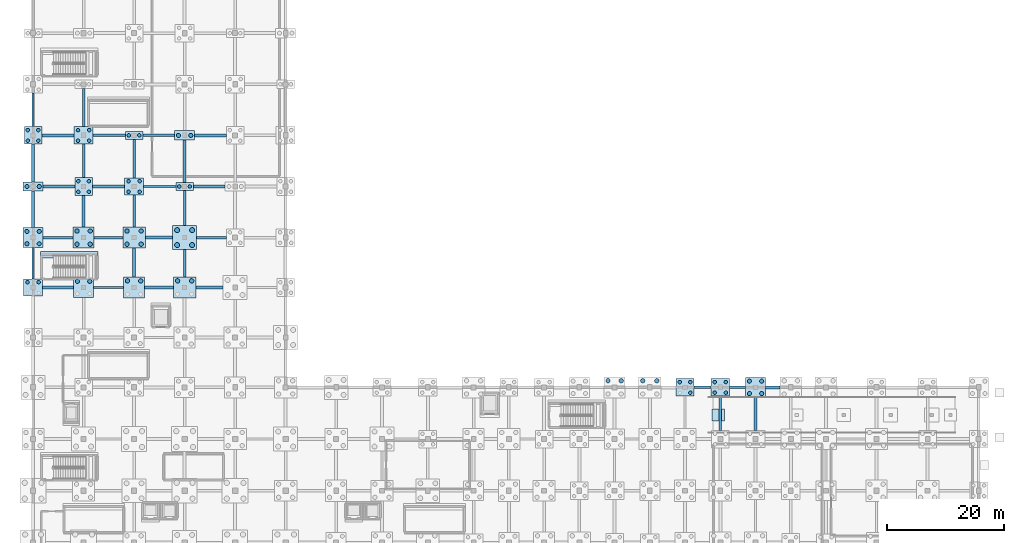
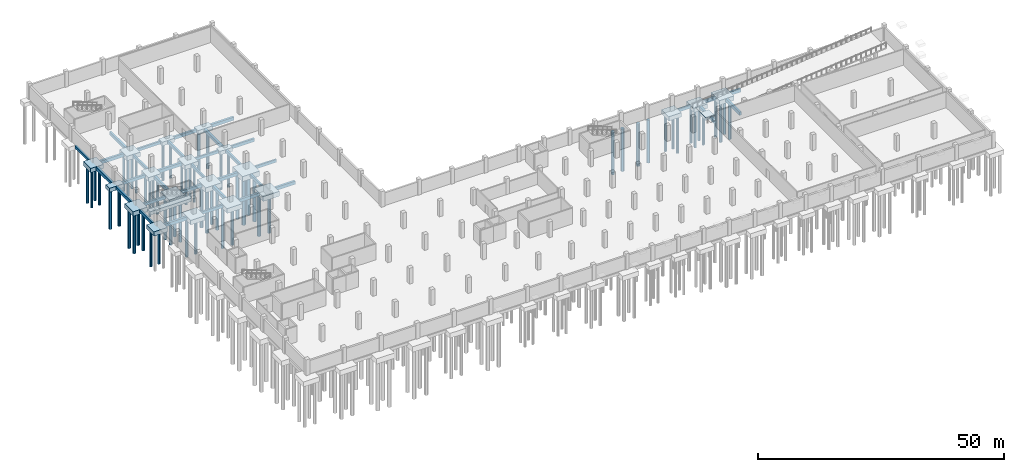
# One storey, part 7 of 28: 63 piles, 55 footings.
"""IFC4 building model written with IfcOpenShell, lengths in metres."""

from ifc_helpers import new_model, si_unit, direction, frame, origin, origin_2d, place, context, subcontext, project, spatial, rectangle, circle, extrude, material, material_profile, profile_set, type_object, element, save


model = new_model("IFC4")

# Units and contexts
model_context = context("Model", 3, precision=1e-05, world=origin(), true_north=direction((0.0, 1.0)))
body_context = subcontext(model_context, "Body", "Model", "MODEL_VIEW")
ifc_project = project(units=[si_unit("LENGTHUNIT", "METRE"), si_unit("AREAUNIT", "SQUARE_METRE"), si_unit("VOLUMEUNIT", "CUBIC_METRE"), si_unit("PLANEANGLEUNIT", "RADIAN"), si_unit("MASSUNIT", "GRAM", prefix="KILO")], contexts=[model_context])

# Site, building, storey
site_placement = place(None, origin())
site = spatial("IfcSite", under=ifc_project, at=site_placement, CompositionType="ELEMENT")
building_placement = place(site_placement, origin())
building = spatial("IfcBuilding", under=site, at=building_placement, Name="Varnakota Cinema and Media Centre", CompositionType="ELEMENT")
storey_placement = place(building_placement, frame((0.0, 0.0, -4.199951171875)))
storey = spatial("IfcBuildingStorey", under=building, at=storey_placement, Name="B1", CompositionType="ELEMENT", Elevation=-4.199951171875)

# Footings
ifc_material_1 = material(Name="Concrete M35", Category="concrete")
ifc_material_profile_1 = material_profile(ifc_material_1, rectangle(XDim=0.39990234375, YDim=0.699951171875, at=origin_2d()), Name="FB 400x700")
ifc_profile_set_1 = profile_set([ifc_material_profile_1], Name="Concrete M35")
footing_type_1 = type_object("IfcFootingType", Name="FB-400x700", PredefinedType="FOOTING_BEAM", material=ifc_profile_set_1)
footing_1_placement = place(storey_placement, frame((112.5, 44.0, -0.60009765625), z_axis=(1.0, 0.0, 0.0), x_axis=(0.0, 1.0, 0.0)))
element("IfcFooting", 1, at=footing_1_placement, inside=storey, type_object=footing_type_1, Name="Foundation tie beam R-S/6", PredefinedType="FOOTING_BEAM", context=body_context, shape_type="SweptSolid", body=[
    extrude(rectangle(XDim=0.39990234375, YDim=0.699951171875, at=origin_2d()), origin(), (0.0, 0.0, 1.0), 2.89990234375),
])
footing_2_placement = place(storey_placement, frame((10.300048828125, 61.0, -0.60009765625), z_axis=(1.0, 0.0, 0.0), x_axis=(0.0, 1.0, 0.0)))
element("IfcFooting", 2, at=footing_2_placement, inside=storey, type_object=footing_type_1, Name="Foundation tie beam B-C/8", PredefinedType="FOOTING_BEAM", context=body_context, shape_type="SweptSolid", body=[
    extrude(rectangle(XDim=0.39990234375, YDim=0.699951171875, at=origin_2d()), origin(), (0.0, 0.0, 1.0), 5.099853515625),
])
footing_3_placement = place(storey_placement, frame((1.699951171875, 69.5, -0.60009765625), z_axis=(1.0, 0.0, 0.0), x_axis=(0.0, 1.0, 0.0)))
element("IfcFooting", 3, at=footing_3_placement, inside=storey, type_object=footing_type_1, Name="Foundation tie beam A-B/9", PredefinedType="FOOTING_BEAM", context=body_context, shape_type="SweptSolid", body=[
    extrude(rectangle(XDim=0.39990234375, YDim=0.699951171875, at=origin_2d()), origin(), (0.0, 0.0, 1.0), 5.10009765625),
])
footing_4_placement = place(storey_placement, frame((27.824951171875, 69.5, -0.60009765625), z_axis=(1.0, 0.0, 0.0), x_axis=(0.0, 1.0, 0.0)))
element("IfcFooting", 4, at=footing_4_placement, inside=storey, type_object=footing_type_1, Name="Foundation tie beam D-E/9", PredefinedType="FOOTING_BEAM", context=body_context, shape_type="SweptSolid", body=[
    extrude(rectangle(XDim=0.39990234375, YDim=0.699951171875, at=origin_2d()), origin(), (0.0, 0.0, 1.0), 5.074951171875),
])
for number, where, z_axis, x_axis, name in (
    (5, (18.800048828125, 78.199951171875, -0.60009765625), (1.0, 0.0, 0.0), (0.0, 1.0, 0.0), "Foundation tie beam C-D/10"),
    (6, (10.199951171875, 86.89990234375, -0.60009765625), (1.0, 0.0, 0.0), (0.0, 1.0, 0.0), "Foundation tie beam B-C/11"),
):
    element("IfcFooting", number, at=place(storey_placement, frame(where, z_axis=z_axis, x_axis=x_axis)), inside=storey, type_object=footing_type_1, Name=name, PredefinedType="FOOTING_BEAM", context=body_context, shape_type="SweptSolid", body=[
        extrude(rectangle(XDim=0.39990234375, YDim=0.699951171875, at=origin_2d()), origin(), (0.0, 0.0, 1.0), 5.5),
    ])
footing_5_placement = place(storey_placement, frame((0.0, 62.47509765625, -0.60009765625), z_axis=(0.0, 1.0, 0.0), x_axis=(-1.0, 0.0, 0.0)))
element("IfcFooting", 7, at=footing_5_placement, inside=storey, type_object=footing_type_1, Name="Foundation tie beam A/8-9", PredefinedType="FOOTING_BEAM", context=body_context, shape_type="SweptSolid", body=[
    extrude(rectangle(XDim=0.39990234375, YDim=0.699951171875, at=origin_2d()), origin(), (0.0, 0.0, 1.0), 5.324951171875),
])
for number, where, z_axis, x_axis, name in (
    (8, (0.0, 88.39990234375, -0.60009765625), (0.0, 1.0, 0.0), (-1.0, 0.0, 0.0), "Foundation tie beam A/11-12"),
    (9, (8.60009765625, 79.699951171875, -0.60009765625), (0.0, 1.0, 0.0), (-1.0, 0.0, 0.0), "Foundation tie beam B/10-11"),
):
    element("IfcFooting", number, at=place(storey_placement, frame(where, z_axis=z_axis, x_axis=x_axis)), inside=storey, type_object=footing_type_1, Name=name, PredefinedType="FOOTING_BEAM", context=body_context, shape_type="SweptSolid", body=[
        extrude(rectangle(XDim=0.39990234375, YDim=0.699951171875, at=origin_2d()), origin(), (0.0, 0.0, 1.0), 5.72509765625),
    ])
footing_6_placement = place(storey_placement, frame((17.199951171875, 71.27490234375, -0.60009765625), z_axis=(0.0, 1.0, 0.0), x_axis=(-1.0, 0.0, 0.0)))
element("IfcFooting", 10, at=footing_6_placement, inside=storey, type_object=footing_type_1, Name="Foundation tie beam C/9-10", PredefinedType="FOOTING_BEAM", context=body_context, shape_type="SweptSolid", body=[
    extrude(rectangle(XDim=0.39990234375, YDim=0.699951171875, at=origin_2d()), origin(), (0.0, 0.0, 1.0), 5.4501953125),
])
footing_7_placement = place(storey_placement, frame((25.800048828125, 62.77490234375, -0.60009765625), z_axis=(0.0, 1.0, 0.0), x_axis=(-1.0, 0.0, 0.0)))
element("IfcFooting", 11, at=footing_7_placement, inside=storey, type_object=footing_type_1, Name="Foundation tie beam D/8-9", PredefinedType="FOOTING_BEAM", context=body_context, shape_type="SweptSolid", body=[
    extrude(rectangle(XDim=0.39990234375, YDim=0.699951171875, at=origin_2d()), origin(), (0.0, 0.0, 1.0), 4.7001953125),
])
ifc_material_2 = material(Name="Concrete M35", Category="concrete")
ifc_material_profile_2 = material_profile(ifc_material_2, rectangle(XDim=0.449951171875, YDim=0.75, at=origin_2d()), Name="FB 450x750")
ifc_profile_set_2 = profile_set([ifc_material_profile_2], Name="Concrete M35")
footing_type_2 = type_object("IfcFootingType", Name="FB-450x750", PredefinedType="FOOTING_BEAM", material=ifc_profile_set_2)
footing_8_placement = place(storey_placement, frame((118.60009765625, 44.0, -0.625), z_axis=(1.0, 0.0, 0.0), x_axis=(0.0, 1.0, 0.0)))
element("IfcFooting", 12, at=footing_8_placement, inside=storey, type_object=footing_type_2, Name="Foundation tie beam S-T/6", PredefinedType="FOOTING_BEAM", context=body_context, shape_type="SweptSolid", body=[
    extrude(rectangle(XDim=0.449951171875, YDim=0.75, at=origin_2d()), origin(), (0.0, 0.0, 1.0), 2.699951171875),
])
footing_9_placement = place(storey_placement, frame((19.0, 61.0, -0.625), z_axis=(1.0, 0.0, 0.0), x_axis=(0.0, 1.0, 0.0)))
element("IfcFooting", 13, at=footing_9_placement, inside=storey, type_object=footing_type_2, Name="Foundation tie beam C-D/8", PredefinedType="FOOTING_BEAM", context=body_context, shape_type="SweptSolid", body=[
    extrude(rectangle(XDim=0.449951171875, YDim=0.75, at=origin_2d()), origin(), (0.0, 0.0, 1.0), 4.89990234375),
])
footing_10_placement = place(storey_placement, frame((10.39990234375, 69.5, -0.625), z_axis=(1.0, 0.0, 0.0), x_axis=(0.0, 1.0, 0.0)))
element("IfcFooting", 14, at=footing_10_placement, inside=storey, type_object=footing_type_2, Name="Foundation tie beam B-C/9", PredefinedType="FOOTING_BEAM", context=body_context, shape_type="SweptSolid", body=[
    extrude(rectangle(XDim=0.449951171875, YDim=0.75, at=origin_2d()), origin(), (0.0, 0.0, 1.0), 4.900146484375),
])
footing_11_placement = place(storey_placement, frame((1.699951171875, 78.199951171875, -0.625), z_axis=(1.0, 0.0, 0.0), x_axis=(0.0, 1.0, 0.0)))
element("IfcFooting", 15, at=footing_11_placement, inside=storey, type_object=footing_type_2, Name="Foundation tie beam A-B/10", PredefinedType="FOOTING_BEAM", context=body_context, shape_type="SweptSolid", body=[
    extrude(rectangle(XDim=0.449951171875, YDim=0.75, at=origin_2d()), origin(), (0.0, 0.0, 1.0), 5.400146484375),
])
footing_12_placement = place(storey_placement, frame((27.300048828125, 78.199951171875, -0.625), z_axis=(1.0, 0.0, 0.0), x_axis=(0.0, 1.0, 0.0)))
element("IfcFooting", 16, at=footing_12_placement, inside=storey, type_object=footing_type_2, Name="Foundation tie beam D-E/10", PredefinedType="FOOTING_BEAM", context=body_context, shape_type="SweptSolid", body=[
    extrude(rectangle(XDim=0.449951171875, YDim=0.75, at=origin_2d()), origin(), (0.0, 0.0, 1.0), 5.39990234375),
])
footing_13_placement = place(storey_placement, frame((18.699951171875, 86.89990234375, -0.625), z_axis=(1.0, 0.0, 0.0), x_axis=(0.0, 1.0, 0.0)))
element("IfcFooting", 17, at=footing_13_placement, inside=storey, type_object=footing_type_2, Name="Foundation tie beam C-D/11", PredefinedType="FOOTING_BEAM", context=body_context, shape_type="SweptSolid", body=[
    extrude(rectangle(XDim=0.449951171875, YDim=0.75, at=origin_2d()), origin(), (0.0, 0.0, 1.0), 5.400146484375),
])
footing_14_placement = place(storey_placement, frame((0.0, 71.199951171875, -0.625), z_axis=(0.0, 1.0, 0.0), x_axis=(-1.0, 0.0, 0.0)))
element("IfcFooting", 18, at=footing_14_placement, inside=storey, type_object=footing_type_2, Name="Foundation tie beam A/9-10", PredefinedType="FOOTING_BEAM", context=body_context, shape_type="SweptSolid", body=[
    extrude(rectangle(XDim=0.449951171875, YDim=0.75, at=origin_2d()), origin(), (0.0, 0.0, 1.0), 6.199951171875),
])
for number, where, z_axis, x_axis, name in (
    (19, (8.60009765625, 88.375, -0.625), (0.0, 1.0, 0.0), (-1.0, 0.0, 0.0), "Foundation tie beam B/11-12"),
    (20, (17.199951171875, 79.675048828125, -0.625), (0.0, 1.0, 0.0), (-1.0, 0.0, 0.0), "Foundation tie beam C/10-11"),
):
    element("IfcFooting", number, at=place(storey_placement, frame(where, z_axis=z_axis, x_axis=x_axis)), inside=storey, type_object=footing_type_2, Name=name, PredefinedType="FOOTING_BEAM", context=body_context, shape_type="SweptSolid", body=[
        extrude(rectangle(XDim=0.449951171875, YDim=0.75, at=origin_2d()), origin(), (0.0, 0.0, 1.0), 6.52490234375),
    ])
footing_15_placement = place(storey_placement, frame((25.800048828125, 71.52490234375, -0.625), z_axis=(0.0, 1.0, 0.0), x_axis=(-1.0, 0.0, 0.0)))
element("IfcFooting", 21, at=footing_15_placement, inside=storey, type_object=footing_type_2, Name="Foundation tie beam D/9-10", PredefinedType="FOOTING_BEAM", context=body_context, shape_type="SweptSolid", body=[
    extrude(rectangle(XDim=0.449951171875, YDim=0.75, at=origin_2d()), origin(), (0.0, 0.0, 1.0), 5.97509765625),
])
footing_16_placement = place(storey_placement, frame((117.0, 36.699951171875, -0.625), z_axis=(0.0, 1.0, 0.0), x_axis=(-1.0, 0.0, 0.0)))
element("IfcFooting", 22, at=footing_16_placement, inside=storey, type_object=footing_type_2, Name="Foundation tie beam S/5-6", PredefinedType="FOOTING_BEAM", context=body_context, shape_type="SweptSolid", body=[
    extrude(rectangle(XDim=0.449951171875, YDim=0.75, at=origin_2d()), origin(), (0.0, 0.0, 1.0), 5.824951171875),
])
ifc_material_3 = material(Name="Concrete M35", Category="concrete")
ifc_material_profile_3 = material_profile(ifc_material_3, rectangle(XDim=0.5, YDim=0.800048828125, at=origin_2d()), Name="FB 500x800")
ifc_profile_set_3 = profile_set([ifc_material_profile_3], Name="Concrete M35")
footing_type_3 = type_object("IfcFootingType", Name="FB-500x800", PredefinedType="FOOTING_BEAM", material=ifc_profile_set_3)
footing_17_placement = place(storey_placement, frame((124.699951171875, 44.0, -0.650146484375), z_axis=(1.0, 0.0, 0.0), x_axis=(0.0, 1.0, 0.0)))
element("IfcFooting", 23, at=footing_17_placement, inside=storey, type_object=footing_type_3, Name="Foundation tie beam T-U/6", PredefinedType="FOOTING_BEAM", context=body_context, shape_type="SweptSolid", body=[
    extrude(rectangle(XDim=0.5, YDim=0.800048828125, at=origin_2d()), origin(), (0.0, 0.0, 1.0), 2.5),
])
footing_18_placement = place(storey_placement, frame((1.60009765625, 61.0, -0.650146484375), z_axis=(1.0, 0.0, 0.0), x_axis=(0.0, 1.0, 0.0)))
element("IfcFooting", 24, at=footing_18_placement, inside=storey, type_object=footing_type_3, Name="Foundation tie beam A-B/8", PredefinedType="FOOTING_BEAM", context=body_context, shape_type="SweptSolid", body=[
    extrude(rectangle(XDim=0.5, YDim=0.800048828125, at=origin_2d()), origin(), (0.0, 0.0, 1.0), 5.2998046875),
])
footing_19_placement = place(storey_placement, frame((27.699951171875, 61.0, -0.650146484375), z_axis=(1.0, 0.0, 0.0), x_axis=(0.0, 1.0, 0.0)))
element("IfcFooting", 25, at=footing_19_placement, inside=storey, type_object=footing_type_3, Name="Foundation tie beam D-E/8", PredefinedType="FOOTING_BEAM", context=body_context, shape_type="SweptSolid", body=[
    extrude(rectangle(XDim=0.5, YDim=0.800048828125, at=origin_2d()), origin(), (0.0, 0.0, 1.0), 4.675048828125),
])
footing_20_placement = place(storey_placement, frame((19.10009765625, 69.5, -0.650146484375), z_axis=(1.0, 0.0, 0.0), x_axis=(0.0, 1.0, 0.0)))
element("IfcFooting", 26, at=footing_20_placement, inside=storey, type_object=footing_type_3, Name="Foundation tie beam C-D/9", PredefinedType="FOOTING_BEAM", context=body_context, shape_type="SweptSolid", body=[
    extrude(rectangle(XDim=0.5, YDim=0.800048828125, at=origin_2d()), origin(), (0.0, 0.0, 1.0), 4.6748046875),
])
for number, where, z_axis, x_axis, name in (
    (27, (10.10009765625, 78.199951171875, -0.650146484375), (1.0, 0.0, 0.0), (0.0, 1.0, 0.0), "Foundation tie beam B-C/10"),
    (28, (1.5, 86.89990234375, -0.650146484375), (1.0, 0.0, 0.0), (0.0, 1.0, 0.0), "Foundation tie beam A-B/11"),
):
    element("IfcFooting", number, at=place(storey_placement, frame(where, z_axis=z_axis, x_axis=x_axis)), inside=storey, type_object=footing_type_3, Name=name, PredefinedType="FOOTING_BEAM", context=body_context, shape_type="SweptSolid", body=[
        extrude(rectangle(XDim=0.5, YDim=0.800048828125, at=origin_2d()), origin(), (0.0, 0.0, 1.0), 5.5),
    ])
footing_21_placement = place(storey_placement, frame((27.5, 86.89990234375, -0.650146484375), z_axis=(1.0, 0.0, 0.0), x_axis=(0.0, 1.0, 0.0)))
element("IfcFooting", 29, at=footing_21_placement, inside=storey, type_object=footing_type_3, Name="Foundation tie beam D-E/11", PredefinedType="FOOTING_BEAM", context=body_context, shape_type="SweptSolid", body=[
    extrude(rectangle(XDim=0.5, YDim=0.800048828125, at=origin_2d()), origin(), (0.0, 0.0, 1.0), 5.39990234375),
])
footing_22_placement = place(storey_placement, frame((0.0, 79.0, -0.650146484375), z_axis=(0.0, 1.0, 0.0), x_axis=(-1.0, 0.0, 0.0)))
element("IfcFooting", 30, at=footing_22_placement, inside=storey, type_object=footing_type_3, Name="Foundation tie beam A/10-11", PredefinedType="FOOTING_BEAM", context=body_context, shape_type="SweptSolid", body=[
    extrude(rectangle(XDim=0.5, YDim=0.800048828125, at=origin_2d()), origin(), (0.0, 0.0, 1.0), 6.39990234375),
])
footing_23_placement = place(storey_placement, frame((8.60009765625, 71.300048828125, -0.650146484375), z_axis=(0.0, 1.0, 0.0), x_axis=(-1.0, 0.0, 0.0)))
element("IfcFooting", 31, at=footing_23_placement, inside=storey, type_object=footing_type_3, Name="Foundation tie beam B/9-10", PredefinedType="FOOTING_BEAM", context=body_context, shape_type="SweptSolid", body=[
    extrude(rectangle(XDim=0.5, YDim=0.800048828125, at=origin_2d()), origin(), (0.0, 0.0, 1.0), 5.39990234375),
])
footing_24_placement = place(storey_placement, frame((17.199951171875, 62.800048828125, -0.650146484375), z_axis=(0.0, 1.0, 0.0), x_axis=(-1.0, 0.0, 0.0)))
element("IfcFooting", 32, at=footing_24_placement, inside=storey, type_object=footing_type_3, Name="Foundation tie beam C/8-9", PredefinedType="FOOTING_BEAM", context=body_context, shape_type="SweptSolid", body=[
    extrude(rectangle(XDim=0.5, YDim=0.800048828125, at=origin_2d()), origin(), (0.0, 0.0, 1.0), 4.925048828125),
])
footing_25_placement = place(storey_placement, frame((25.800048828125, 78.89990234375, -0.650146484375), z_axis=(0.0, 1.0, 0.0), x_axis=(-1.0, 0.0, 0.0)))
element("IfcFooting", 33, at=footing_25_placement, inside=storey, type_object=footing_type_3, Name="Foundation tie beam D/10-11", PredefinedType="FOOTING_BEAM", context=body_context, shape_type="SweptSolid", body=[
    extrude(rectangle(XDim=0.5, YDim=0.800048828125, at=origin_2d()), origin(), (0.0, 0.0, 1.0), 7.2001953125),
])
footing_26_placement = place(storey_placement, frame((123.0, 36.675048828125, -0.650146484375), z_axis=(0.0, 1.0, 0.0), x_axis=(-1.0, 0.0, 0.0)))
element("IfcFooting", 34, at=footing_26_placement, inside=storey, type_object=footing_type_3, Name="Foundation tie beam T/5-6", PredefinedType="FOOTING_BEAM", context=body_context, shape_type="SweptSolid", body=[
    extrude(rectangle(XDim=0.5, YDim=0.800048828125, at=origin_2d()), origin(), (0.0, 0.0, 1.0), 5.625),
])
ifc_material_4 = material(Name="Concrete M35", Category="concrete")
footing_type_4 = type_object("IfcFootingType", Name="PC-2P-600", PredefinedType="PILE_CAP", material=ifc_material_4)
for number, where, z_axis, x_axis, name in (
    (35, (17.199951171875, 86.89990234375, -1.2001953125), (0.0, 0.0, 1.0), (1.0, 0.0, 0.0), "Pile cap C/11"),
    (36, (25.800048828125, 78.199951171875, -1.2001953125), (0.0, 0.0, 1.0), (1.0, 0.0, 0.0), "Pile cap D/10"),
):
    element("IfcFooting", number, at=place(storey_placement, frame(where, z_axis=z_axis, x_axis=x_axis)), inside=storey, type_object=footing_type_4, Name=name, PredefinedType="PILE_CAP", context=body_context, shape_type="SweptSolid", body=[
        extrude(rectangle(XDim=3.0, YDim=1.39990234375, at=origin_2d()), origin(), (0.0, 0.0, 1.0), 0.949951171875),
    ])
ifc_material_5 = material(Name="Concrete M35", Category="concrete")
footing_type_5 = type_object("IfcFootingType", Name="PC-2P-700", PredefinedType="PILE_CAP", material=ifc_material_5)
for number, where, z_axis, x_axis, name in (
    (37, (0.0, 78.199951171875, -1.25), (0.0, 0.0, 1.0), (1.0, 0.0, 0.0), "Pile cap A/10"),
    (38, (25.800048828125, 86.89990234375, -1.25), (0.0, 0.0, 1.0), (1.0, 0.0, 0.0), "Pile cap D/11"),
):
    element("IfcFooting", number, at=place(storey_placement, frame(where, z_axis=z_axis, x_axis=x_axis)), inside=storey, type_object=footing_type_5, Name=name, PredefinedType="PILE_CAP", context=body_context, shape_type="SweptSolid", body=[
        extrude(rectangle(XDim=3.39990234375, YDim=1.60009765625, at=origin_2d()), origin(), (0.0, 0.0, 1.0), 1.0),
    ])
ifc_material_6 = material(Name="Concrete M35", Category="concrete")
footing_type_6 = type_object("IfcFootingType", Name="PC-4P-600", PredefinedType="PILE_CAP", material=ifc_material_6)
for number, where, z_axis, x_axis, name in (
    (39, (0.0, 86.89990234375, -1.30029296875), (0.0, 0.0, 1.0), (1.0, 0.0, 0.0), "Pile cap A/11"),
    (40, (8.60009765625, 78.199951171875, -1.30029296875), (0.0, 0.0, 1.0), (1.0, 0.0, 0.0), "Pile cap B/10"),
    (41, (111.0, 44.0, -1.30029296875), (0.0, 0.0, 1.0), (1.0, 0.0, 0.0), "Pile cap R/6"),
):
    element("IfcFooting", number, at=place(storey_placement, frame(where, z_axis=z_axis, x_axis=x_axis)), inside=storey, type_object=footing_type_6, Name=name, PredefinedType="PILE_CAP", context=body_context, shape_type="SweptSolid", body=[
        extrude(rectangle(XDim=3.0, YDim=3.0, at=origin_2d()), origin(), (0.0, 0.0, 1.0), 1.050048828125),
    ])
ifc_material_7 = material(Name="Concrete M35", Category="concrete")
footing_type_7 = type_object("IfcFootingType", Name="PC-4P-600R", PredefinedType="PILE_CAP", material=ifc_material_7)
for number, where, z_axis, x_axis, name in (
    (42, (0.0, 61.0, -1.330078125), (0.0, 0.0, 1.0), (1.0, 0.0, 0.0), "Pile cap A/8"),
    (43, (8.60009765625, 86.89990234375, -1.330078125), (0.0, 0.0, 1.0), (1.0, 0.0, 0.0), "Pile cap B/11"),
    (44, (17.199951171875, 78.199951171875, -1.330078125), (0.0, 0.0, 1.0), (1.0, 0.0, 0.0), "Pile cap C/10"),
    (45, (117.0, 44.0, -1.330078125), (0.0, 0.0, 1.0), (1.0, 0.0, 0.0), "Pile cap S/6"),
):
    element("IfcFooting", number, at=place(storey_placement, frame(where, z_axis=z_axis, x_axis=x_axis)), inside=storey, type_object=footing_type_7, Name=name, PredefinedType="PILE_CAP", context=body_context, shape_type="SweptSolid", body=[
        extrude(rectangle(XDim=3.199951171875, YDim=2.949951171875, at=origin_2d()), origin(), (0.0, 0.0, 1.0), 1.080078125),
    ])
ifc_material_8 = material(Name="Concrete M35", Category="concrete")
footing_type_8 = type_object("IfcFootingType", Name="PC-4P-700", PredefinedType="PILE_CAP", material=ifc_material_8)
for number, where, z_axis, x_axis, name in (
    (46, (0.0, 69.5, -1.3701171875), (0.0, 0.0, 1.0), (1.0, 0.0, 0.0), "Pile cap A/9"),
    (47, (8.60009765625, 61.0, -1.3701171875), (0.0, 0.0, 1.0), (1.0, 0.0, 0.0), "Pile cap B/8"),
    (48, (123.0, 44.0, -1.3701171875), (0.0, 0.0, 1.0), (1.0, 0.0, 0.0), "Pile cap T/6"),
):
    element("IfcFooting", number, at=place(storey_placement, frame(where, z_axis=z_axis, x_axis=x_axis)), inside=storey, type_object=footing_type_8, Name=name, PredefinedType="PILE_CAP", context=body_context, shape_type="SweptSolid", body=[
        extrude(rectangle(XDim=3.39990234375, YDim=3.39990234375, at=origin_2d()), origin(), (0.0, 0.0, 1.0), 1.1201171875),
    ])
ifc_material_9 = material(Name="Concrete M35", Category="concrete")
footing_type_9 = type_object("IfcFootingType", Name="PC-4P-750", PredefinedType="PILE_CAP", material=ifc_material_9)
for number, where, z_axis, x_axis, name in (
    (49, (8.60009765625, 69.5, -1.43017578125), (0.0, 0.0, 1.0), (1.0, 0.0, 0.0), "Pile cap B/9"),
    (50, (17.199951171875, 61.0, -1.43017578125), (0.0, 0.0, 1.0), (1.0, 0.0, 0.0), "Pile cap C/8"),
):
    element("IfcFooting", number, at=place(storey_placement, frame(where, z_axis=z_axis, x_axis=x_axis)), inside=storey, type_object=footing_type_9, Name=name, PredefinedType="PILE_CAP", context=body_context, shape_type="SweptSolid", body=[
        extrude(rectangle(XDim=3.60009765625, YDim=3.60009765625, at=origin_2d()), origin(), (0.0, 0.0, 1.0), 1.179931640625),
    ])
ifc_material_10 = material(Name="Concrete M35", Category="concrete")
footing_type_10 = type_object("IfcFootingType", Name="PC-4P-750R", PredefinedType="PILE_CAP", material=ifc_material_10)
for number, where, z_axis, x_axis, name in (
    (51, (17.199951171875, 69.5, -1.4501953125), (0.0, 0.0, 1.0), (1.0, 0.0, 0.0), "Pile cap C/9"),
    (52, (25.800048828125, 61.0, -1.4501953125), (0.0, 0.0, 1.0), (1.0, 0.0, 0.0), "Pile cap D/8"),
):
    element("IfcFooting", number, at=place(storey_placement, frame(where, z_axis=z_axis, x_axis=x_axis)), inside=storey, type_object=footing_type_10, Name=name, PredefinedType="PILE_CAP", context=body_context, shape_type="SweptSolid", body=[
        extrude(rectangle(XDim=3.800048828125, YDim=3.550048828125, at=origin_2d()), origin(), (0.0, 0.0, 1.0), 1.199951171875),
    ])
ifc_material_11 = material(Name="Concrete M35", Category="concrete")
footing_type_11 = type_object("IfcFootingType", Name="PC-4P-850", PredefinedType="PILE_CAP", material=ifc_material_11)
footing_27_placement = place(storey_placement, frame((25.800048828125, 69.5, -1.5), z_axis=(0.0, 0.0, 1.0), x_axis=(1.0, 0.0, 0.0)))
element("IfcFooting", 53, at=footing_27_placement, inside=storey, type_object=footing_type_11, Name="Pile cap D/9", PredefinedType="PILE_CAP", context=body_context, shape_type="SweptSolid", body=[
    extrude(rectangle(XDim=4.050048828125, YDim=4.050048828125, at=origin_2d()), origin(), (0.0, 0.0, 1.0), 1.25),
])
ifc_material_12 = material(Name="Concrete M35", Category="concrete")
footing_type_12 = type_object("IfcFootingType", Name="PF-210", PredefinedType="PAD_FOOTING", material=ifc_material_12)
footing_28_placement = place(storey_placement, frame((116.64990234375, 39.300048828125, -0.75), z_axis=(0.0, 0.0, 1.0), x_axis=(1.0, 0.0, 0.0)))
element("IfcFooting", 54, at=footing_28_placement, inside=storey, type_object=footing_type_12, Name="B1 car ramp bottom sill pad", PredefinedType="PAD_FOOTING", context=body_context, shape_type="SweptSolid", body=[
    extrude(rectangle(XDim=2.10009765625, YDim=2.10009765625, at=origin_2d()), origin(), (0.0, 0.0, 1.0), 0.75),
])

# Piles
ifc_material_13 = material(Name="Concrete M35", Category="concrete")
ifc_material_profile_4 = material_profile(ifc_material_13, circle(Radius=0.300048828125, at=origin_2d()), Name="PILE D600")
ifc_profile_set_4 = profile_set([ifc_material_profile_4], Name="Concrete M35")
pile_type_1 = type_object("IfcPileType", Name="PILE-D600", PredefinedType="BORED", material=ifc_profile_set_4)
for number, where, z_axis, x_axis, name in (
    (55, (-0.949951171875, 61.89990234375, -1.22998046875), (0.0, 0.0, -1.0), (1.0, 0.0, 0.0), "Bored pile A/8-3"),
    (56, (0.949951171875, 61.89990234375, -1.22998046875), (0.0, 0.0, -1.0), (1.0, 0.0, 0.0), "Bored pile A/8-4"),
    (57, (-0.89990234375, 86.0, -1.199951171875), (0.0, 0.0, -1.0), (1.0, 0.0, 0.0), "Bored pile A/11-1"),
    (58, (0.89990234375, 86.0, -1.199951171875), (0.0, 0.0, -1.0), (1.0, 0.0, 0.0), "Bored pile A/11-2"),
    (59, (-0.89990234375, 87.800048828125, -1.199951171875), (0.0, 0.0, -1.0), (1.0, 0.0, 0.0), "Bored pile A/11-3"),
    (60, (0.89990234375, 87.800048828125, -1.199951171875), (0.0, 0.0, -1.0), (1.0, 0.0, 0.0), "Bored pile A/11-4"),
    (61, (7.699951171875, 77.300048828125, -1.199951171875), (0.0, 0.0, -1.0), (1.0, 0.0, 0.0), "Bored pile B/10-1"),
    (62, (9.5, 77.300048828125, -1.199951171875), (0.0, 0.0, -1.0), (1.0, 0.0, 0.0), "Bored pile B/10-2"),
    (63, (7.699951171875, 79.10009765625, -1.199951171875), (0.0, 0.0, -1.0), (1.0, 0.0, 0.0), "Bored pile B/10-3"),
    (64, (9.5, 79.10009765625, -1.199951171875), (0.0, 0.0, -1.0), (1.0, 0.0, 0.0), "Bored pile B/10-4"),
    (65, (7.64990234375, 86.0, -1.22998046875), (0.0, 0.0, -1.0), (1.0, 0.0, 0.0), "Bored pile B/11-1"),
    (66, (9.550048828125, 86.0, -1.22998046875), (0.0, 0.0, -1.0), (1.0, 0.0, 0.0), "Bored pile B/11-2"),
    (67, (7.64990234375, 87.800048828125, -1.22998046875), (0.0, 0.0, -1.0), (1.0, 0.0, 0.0), "Bored pile B/11-3"),
    (68, (9.550048828125, 87.800048828125, -1.22998046875), (0.0, 0.0, -1.0), (1.0, 0.0, 0.0), "Bored pile B/11-4"),
    (69, (16.25, 77.300048828125, -1.22998046875), (0.0, 0.0, -1.0), (1.0, 0.0, 0.0), "Bored pile C/10-1"),
    (70, (18.14990234375, 77.300048828125, -1.22998046875), (0.0, 0.0, -1.0), (1.0, 0.0, 0.0), "Bored pile C/10-2"),
    (71, (16.25, 79.10009765625, -1.22998046875), (0.0, 0.0, -1.0), (1.0, 0.0, 0.0), "Bored pile C/10-3"),
    (72, (18.14990234375, 79.10009765625, -1.22998046875), (0.0, 0.0, -1.0), (1.0, 0.0, 0.0), "Bored pile C/10-4"),
    (73, (16.300048828125, 86.89990234375, -1.10009765625), (0.0, 0.0, -1.0), (1.0, 0.0, 0.0), "Bored pile C/11-1"),
    (74, (18.10009765625, 86.89990234375, -1.10009765625), (0.0, 0.0, -1.0), (1.0, 0.0, 0.0), "Bored pile C/11-2"),
    (75, (24.89990234375, 78.199951171875, -1.10009765625), (0.0, 0.0, -1.0), (1.0, 0.0, 0.0), "Bored pile D/10-1"),
    (76, (26.699951171875, 78.199951171875, -1.10009765625), (0.0, 0.0, -1.0), (1.0, 0.0, 0.0), "Bored pile D/10-2"),
    (77, (111.89990234375, 43.10009765625, -1.199951171875), (0.0, 0.0, -1.0), (1.0, 0.0, 0.0), "Bored pile R/6-2"),
    (78, (110.10009765625, 44.89990234375, -1.199951171875), (0.0, 0.0, -1.0), (1.0, 0.0, 0.0), "Bored pile R/6-3"),
    (79, (111.89990234375, 44.89990234375, -1.199951171875), (0.0, 0.0, -1.0), (1.0, 0.0, 0.0), "Bored pile R/6-4"),
    (80, (116.050048828125, 43.10009765625, -1.22998046875), (0.0, 0.0, -1.0), (1.0, 0.0, 0.0), "Bored pile S/6-1"),
    (81, (117.949951171875, 43.10009765625, -1.22998046875), (0.0, 0.0, -1.0), (1.0, 0.0, 0.0), "Bored pile S/6-2"),
    (82, (116.050048828125, 44.89990234375, -1.22998046875), (0.0, 0.0, -1.0), (1.0, 0.0, 0.0), "Bored pile S/6-3"),
    (83, (117.949951171875, 44.89990234375, -1.22998046875), (0.0, 0.0, -1.0), (1.0, 0.0, 0.0), "Bored pile S/6-4"),
):
    element("IfcPile", number, at=place(storey_placement, frame(where, z_axis=z_axis, x_axis=x_axis)), inside=storey, type_object=pile_type_1, Name=name, PredefinedType="BORED", context=body_context, shape_type="SweptSolid", body=[
        extrude(circle(Radius=0.300048828125, at=origin_2d()), origin(), (0.0, 0.0, 1.0), 9.199951171875),
    ])
ifc_material_14 = material(Name="Concrete M35", Category="concrete")
ifc_material_profile_5 = material_profile(ifc_material_14, circle(Radius=0.35009765625, at=origin_2d()), Name="PILE D700")
ifc_profile_set_5 = profile_set([ifc_material_profile_5], Name="Concrete M35")
pile_type_2 = type_object("IfcPileType", Name="PILE-D700", PredefinedType="BORED", material=ifc_profile_set_5)
for number, where, z_axis, x_axis, name in (
    (84, (-1.050048828125, 68.449951171875, -1.27001953125), (0.0, 0.0, -1.0), (1.0, 0.0, 0.0), "Bored pile A/9-1"),
    (85, (1.050048828125, 68.449951171875, -1.27001953125), (0.0, 0.0, -1.0), (1.0, 0.0, 0.0), "Bored pile A/9-2"),
    (86, (-1.050048828125, 70.550048828125, -1.27001953125), (0.0, 0.0, -1.0), (1.0, 0.0, 0.0), "Bored pile A/9-3"),
    (87, (1.050048828125, 70.550048828125, -1.27001953125), (0.0, 0.0, -1.0), (1.0, 0.0, 0.0), "Bored pile A/9-4"),
    (88, (-1.050048828125, 78.199951171875, -1.150146484375), (0.0, 0.0, -1.0), (1.0, 0.0, 0.0), "Bored pile A/10-1"),
    (89, (1.050048828125, 78.199951171875, -1.150146484375), (0.0, 0.0, -1.0), (1.0, 0.0, 0.0), "Bored pile A/10-2"),
    (90, (7.550048828125, 62.050048828125, -1.27001953125), (0.0, 0.0, -1.0), (1.0, 0.0, 0.0), "Bored pile B/8-3"),
    (91, (9.64990234375, 62.050048828125, -1.27001953125), (0.0, 0.0, -1.0), (1.0, 0.0, 0.0), "Bored pile B/8-4"),
    (92, (24.75, 86.89990234375, -1.150146484375), (0.0, 0.0, -1.0), (1.0, 0.0, 0.0), "Bored pile D/11-1"),
    (93, (26.85009765625, 86.89990234375, -1.150146484375), (0.0, 0.0, -1.0), (1.0, 0.0, 0.0), "Bored pile D/11-2"),
    (94, (121.949951171875, 42.949951171875, -1.27001953125), (0.0, 0.0, -1.0), (1.0, 0.0, 0.0), "Bored pile T/6-1"),
    (95, (124.050048828125, 42.949951171875, -1.27001953125), (0.0, 0.0, -1.0), (1.0, 0.0, 0.0), "Bored pile T/6-2"),
    (96, (121.949951171875, 45.050048828125, -1.27001953125), (0.0, 0.0, -1.0), (1.0, 0.0, 0.0), "Bored pile T/6-3"),
    (97, (124.050048828125, 45.050048828125, -1.27001953125), (0.0, 0.0, -1.0), (1.0, 0.0, 0.0), "Bored pile T/6-4"),
):
    element("IfcPile", number, at=place(storey_placement, frame(where, z_axis=z_axis, x_axis=x_axis)), inside=storey, type_object=pile_type_2, Name=name, PredefinedType="BORED", context=body_context, shape_type="SweptSolid", body=[
        extrude(circle(Radius=0.35009765625, at=origin_2d()), origin(), (0.0, 0.0, 1.0), 9.800048828125),
    ])
ifc_material_15 = material(Name="Concrete M35", Category="concrete")
ifc_material_profile_6 = material_profile(ifc_material_15, circle(Radius=0.375, at=origin_2d()), Name="PILE D750")
ifc_profile_set_6 = profile_set([ifc_material_profile_6], Name="Concrete M35")
pile_type_3 = type_object("IfcPileType", Name="PILE-D750", PredefinedType="BORED", material=ifc_profile_set_6)
for number, where, z_axis, x_axis, name in (
    (98, (7.47509765625, 68.375, -1.330078125), (0.0, 0.0, -1.0), (1.0, 0.0, 0.0), "Bored pile B/9-1"),
    (99, (9.72509765625, 68.375, -1.330078125), (0.0, 0.0, -1.0), (1.0, 0.0, 0.0), "Bored pile B/9-2"),
    (100, (7.47509765625, 70.625, -1.330078125), (0.0, 0.0, -1.0), (1.0, 0.0, 0.0), "Bored pile B/9-3"),
    (101, (9.72509765625, 70.625, -1.330078125), (0.0, 0.0, -1.0), (1.0, 0.0, 0.0), "Bored pile B/9-4"),
    (102, (16.074951171875, 62.125, -1.330078125), (0.0, 0.0, -1.0), (1.0, 0.0, 0.0), "Bored pile C/8-3"),
    (103, (18.324951171875, 62.125, -1.330078125), (0.0, 0.0, -1.0), (1.0, 0.0, 0.0), "Bored pile C/8-4"),
    (104, (16.0, 68.375, -1.35009765625), (0.0, 0.0, -1.0), (1.0, 0.0, 0.0), "Bored pile C/9-1"),
    (105, (18.39990234375, 68.375, -1.35009765625), (0.0, 0.0, -1.0), (1.0, 0.0, 0.0), "Bored pile C/9-2"),
    (106, (16.0, 70.625, -1.35009765625), (0.0, 0.0, -1.0), (1.0, 0.0, 0.0), "Bored pile C/9-3"),
    (107, (18.39990234375, 70.625, -1.35009765625), (0.0, 0.0, -1.0), (1.0, 0.0, 0.0), "Bored pile C/9-4"),
    (108, (24.60009765625, 62.125, -1.35009765625), (0.0, 0.0, -1.0), (1.0, 0.0, 0.0), "Bored pile D/8-3"),
    (109, (27.0, 62.125, -1.35009765625), (0.0, 0.0, -1.0), (1.0, 0.0, 0.0), "Bored pile D/8-4"),
    (110, (97.875, 45.125, -1.330078125), (0.0, 0.0, -1.0), (1.0, 0.0, 0.0), "Bored pile P/6-3"),
    (111, (100.125, 45.125, -1.330078125), (0.0, 0.0, -1.0), (1.0, 0.0, 0.0), "Bored pile P/6-4"),
    (112, (103.800048828125, 45.125, -1.35009765625), (0.0, 0.0, -1.0), (1.0, 0.0, 0.0), "Bored pile Q/6-3"),
    (113, (106.199951171875, 45.125, -1.35009765625), (0.0, 0.0, -1.0), (1.0, 0.0, 0.0), "Bored pile Q/6-4"),
):
    element("IfcPile", number, at=place(storey_placement, frame(where, z_axis=z_axis, x_axis=x_axis)), inside=storey, type_object=pile_type_3, Name=name, PredefinedType="BORED", context=body_context, shape_type="SweptSolid", body=[
        extrude(circle(Radius=0.375, at=origin_2d()), origin(), (0.0, 0.0, 1.0), 10.60009765625),
    ])
ifc_material_16 = material(Name="Concrete M35", Category="concrete")
ifc_material_profile_7 = material_profile(ifc_material_16, circle(Radius=0.425048828125, at=origin_2d()), Name="PILE D850")
ifc_profile_set_7 = profile_set([ifc_material_profile_7], Name="Concrete M35")
pile_type_4 = type_object("IfcPileType", Name="PILE-D850", PredefinedType="BORED", material=ifc_profile_set_7)
for number, where, z_axis, x_axis, name in (
    (114, (24.52490234375, 68.22509765625, -1.400146484375), (0.0, 0.0, -1.0), (1.0, 0.0, 0.0), "Bored pile D/9-1"),
    (115, (27.074951171875, 68.22509765625, -1.400146484375), (0.0, 0.0, -1.0), (1.0, 0.0, 0.0), "Bored pile D/9-2"),
    (116, (24.52490234375, 70.77490234375, -1.400146484375), (0.0, 0.0, -1.0), (1.0, 0.0, 0.0), "Bored pile D/9-3"),
    (117, (27.074951171875, 70.77490234375, -1.400146484375), (0.0, 0.0, -1.0), (1.0, 0.0, 0.0), "Bored pile D/9-4"),
):
    element("IfcPile", number, at=place(storey_placement, frame(where, z_axis=z_axis, x_axis=x_axis)), inside=storey, type_object=pile_type_4, Name=name, PredefinedType="BORED", context=body_context, shape_type="SweptSolid", body=[
        extrude(circle(Radius=0.425048828125, at=origin_2d()), origin(), (0.0, 0.0, 1.0), 11.39990234375),
    ])

# Footing
ifc_material_17 = material(Name="Concrete M35", Category="concrete")
ifc_material_profile_8 = material_profile(ifc_material_17, rectangle(XDim=1.10009765625, YDim=0.800048828125, at=origin_2d()), Name="SF 1100x800")
ifc_profile_set_8 = profile_set([ifc_material_profile_8], Name="Concrete M35")
footing_type_13 = type_object("IfcFootingType", Name="SF-CORE-1100x800", PredefinedType="STRIP_FOOTING", material=ifc_profile_set_8)
footing_29_placement = place(storey_placement, frame((1.300048828125, 66.60009765625, -0.650146484375), z_axis=(1.0, 0.0, 0.0), x_axis=(0.0, 1.0, 0.0)))
element("IfcFooting", 118, at=footing_29_placement, inside=storey, type_object=footing_type_13, Name="Core strip footing ST-B3 N", PredefinedType="STRIP_FOOTING", context=body_context, shape_type="SweptSolid", body=[
    extrude(rectangle(XDim=1.10009765625, YDim=0.800048828125, at=origin_2d()), origin(), (0.0, 0.0, 1.0), 9.760009765625),
])

save(model, "model.ifc")
